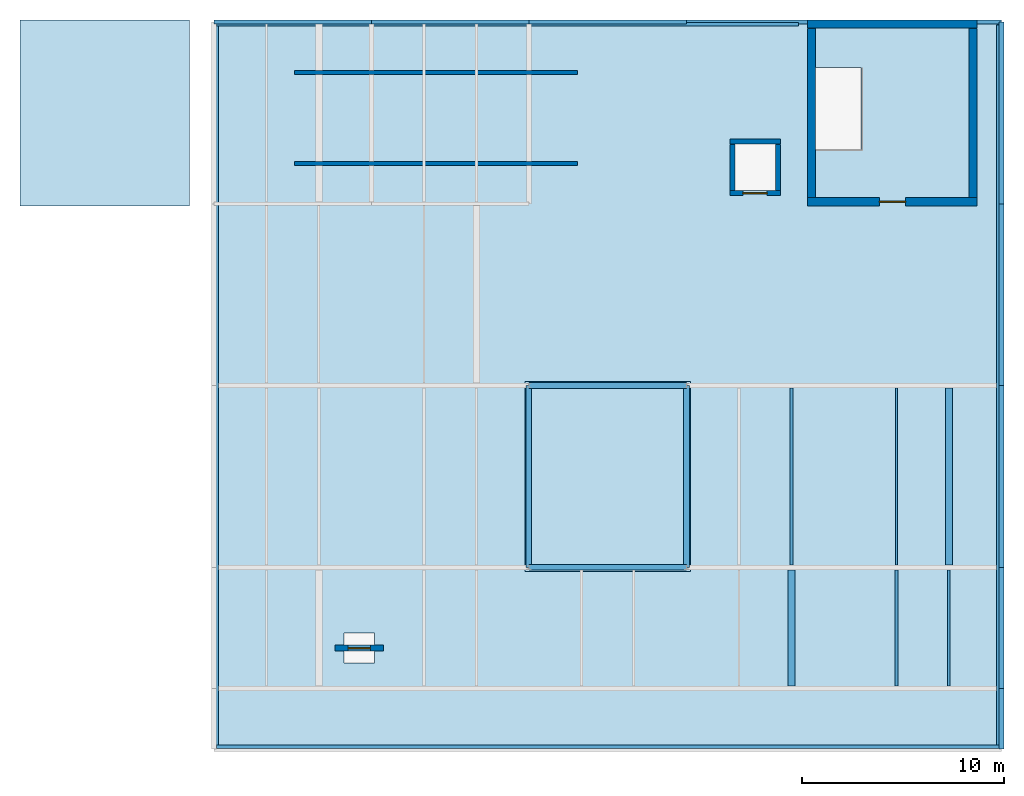
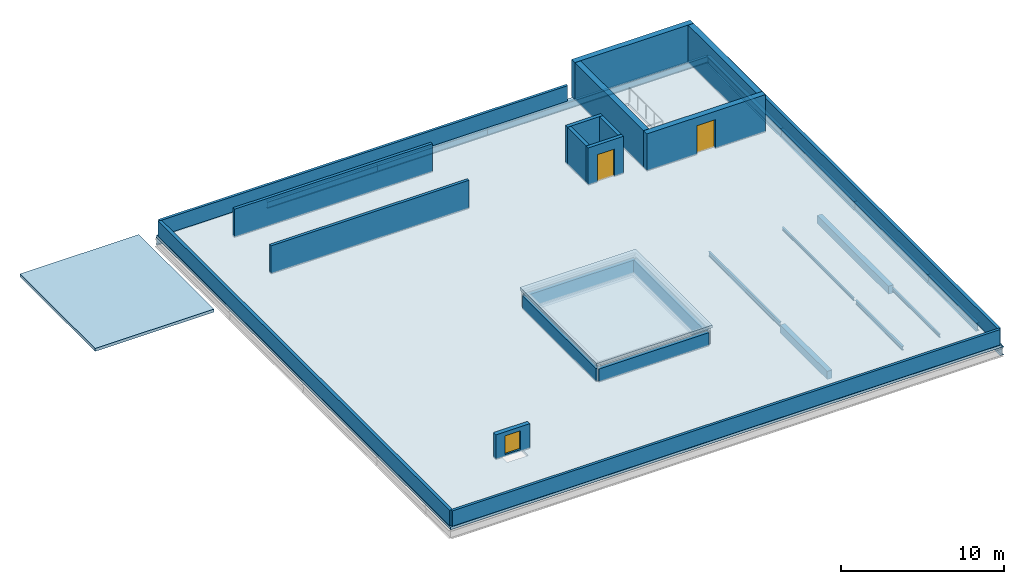
# One storey, part 8 of 9: 19 walls, 15 beams, 3 doors, 3 slabs, 3 openings.
"""IFC4 building model written with IfcOpenShell, lengths in metres."""

from ifc_helpers import new_model, si_unit, derived_unit, direction, frame, frame_2d, origin, origin_2d, place, context, subcontext, project, spatial, polyline, rectangle, i_section, outline, extrude, material, layer, layer_set, material_profile, profile_set, type_object, element, fill, save


model = new_model("IFC4")

# Units and contexts
model_context = context("Model", 3, precision=1e-05, world=origin(), true_north=direction((0.0, 1.0)))
body_context = subcontext(model_context, "Body", "Model", "MODEL_VIEW")
ifc_project = project(units=[si_unit("LENGTHUNIT", "METRE"), si_unit("AREAUNIT", "SQUARE_METRE"), si_unit("VOLUMEUNIT", "CUBIC_METRE"), si_unit("PLANEANGLEUNIT", "RADIAN"), si_unit("MASSUNIT", "GRAM", prefix="KILO"), derived_unit("THERMALTRANSMITTANCEUNIT", [(si_unit("POWERUNIT", "WATT"), 1), (si_unit("LENGTHUNIT", "METRE"), -2), (si_unit("THERMODYNAMICTEMPERATUREUNIT", "KELVIN"), -1)])], contexts=[model_context])

# Site, building, storey
site_placement = place(None, origin())
site = spatial("IfcSite", under=ifc_project, at=site_placement, CompositionType="ELEMENT")
building_placement = place(site_placement, origin())
building = spatial("IfcBuilding", under=site, at=building_placement, Name="Nallur Shell Playhouse", CompositionType="ELEMENT")
storey_placement = place(building_placement, frame((0.0, 0.0, 31.199951171875)))
storey = spatial("IfcBuildingStorey", under=building, at=storey_placement, Name="RF2", CompositionType="ELEMENT", Elevation=31.199951171875)

# Beams
ifc_material_1 = material(Name="Steel E250", Category="steel")
ifc_material_profile_1 = material_profile(ifc_material_1, i_section(OverallWidth=0.110107421875, OverallDepth=0.22509765625, WebThickness=0.006591796875, FlangeThickness=0.01171875, FilletRadius=0.011962890625, at=origin_2d()), Name="ISMB 225")
ifc_profile_set_1 = profile_set([ifc_material_profile_1], Name="Steel E250")
beam_type_1 = type_object("IfcBeamType", Name="BM-JST-ISMB225", PredefinedType="JOIST", material=ifc_profile_set_1)
beam_1_placement = place(storey_placement, frame((97.800048828125, 56.123046875, -0.33251953125), z_axis=(0.0, 1.0, 0.0), x_axis=(-1.0, 0.0, 0.0)))
element("IfcBeam", 1, at=beam_1_placement, inside=storey, type_object=beam_type_1, Name="RF2 secondary joist 12-G-1301", PredefinedType="JOIST", context=body_context, shape_type="SweptSolid", body=[
    extrude(i_section(OverallWidth=0.110107421875, OverallDepth=0.22509765625, WebThickness=0.006591796875, FlangeThickness=0.01171875, FilletRadius=0.011962890625, at=origin_2d()), origin(), (0.0, 0.0, 1.0), 8.75390625),
])
ifc_material_profile_2 = material_profile(ifc_material_1, i_section(OverallWidth=0.125, OverallDepth=0.25, WebThickness=0.0068359375, FlangeThickness=0.012451171875, FilletRadius=0.012939453125, at=origin_2d()), Name="ISMB 250")
ifc_profile_set_2 = profile_set([ifc_material_profile_2], Name="Steel E250")
beam_type_2 = type_object("IfcBeamType", Name="BM-JST-ISMB250", PredefinedType="JOIST", material=ifc_profile_set_2)
beam_2_placement = place(storey_placement, frame((100.39990234375, 50.123046875, -0.344970703125), z_axis=(0.0, 1.0, 0.0), x_axis=(-1.0, 0.0, 0.0)))
element("IfcBeam", 2, at=beam_2_placement, inside=storey, type_object=beam_type_2, Name="RF2 secondary joist 12-F-1300", PredefinedType="JOIST", context=body_context, shape_type="SweptSolid", body=[
    extrude(i_section(OverallWidth=0.125, OverallDepth=0.25, WebThickness=0.0068359375, FlangeThickness=0.012451171875, FilletRadius=0.012939453125, at=origin_2d()), origin(), (0.0, 0.0, 1.0), 5.75390625),
])
ifc_material_profile_3 = material_profile(ifc_material_1, i_section(OverallWidth=0.139892578125, OverallDepth=0.300048828125, WebThickness=0.0078125, FlangeThickness=0.01318359375, FilletRadius=0.013916015625, at=origin_2d()), Name="ISMB 300")
ifc_profile_set_3 = profile_set([ifc_material_profile_3], Name="Steel E250")
beam_type_3 = type_object("IfcBeamType", Name="BM-JST-ISMB300", PredefinedType="JOIST", material=ifc_profile_set_3)
beam_3_placement = place(storey_placement, frame((97.800048828125, 50.123046875, -0.369873046875), z_axis=(0.0, 1.0, 0.0), x_axis=(-1.0, 0.0, 0.0)))
element("IfcBeam", 3, at=beam_3_placement, inside=storey, type_object=beam_type_3, Name="RF2 secondary joist 12-F-1299", PredefinedType="JOIST", context=body_context, shape_type="SweptSolid", body=[
    extrude(i_section(OverallWidth=0.139892578125, OverallDepth=0.300048828125, WebThickness=0.0078125, FlangeThickness=0.01318359375, FilletRadius=0.013916015625, at=origin_2d()), origin(), (0.0, 0.0, 1.0), 5.75390625),
])
ifc_material_profile_4 = material_profile(ifc_material_1, i_section(OverallWidth=0.139892578125, OverallDepth=0.35009765625, WebThickness=0.008056640625, FlangeThickness=0.01416015625, FilletRadius=0.013916015625, at=origin_2d()), Name="ISMB 350")
ifc_profile_set_4 = profile_set([ifc_material_profile_4], Name="Steel E250")
beam_type_4 = type_object("IfcBeamType", Name="BM-JST-ISMB350", PredefinedType="JOIST", material=ifc_profile_set_4)
beam_4_placement = place(storey_placement, frame((92.60009765625, 56.123046875, -0.39501953125), z_axis=(0.0, 1.0, 0.0), x_axis=(-1.0, 0.0, 0.0)))
element("IfcBeam", 4, at=beam_4_placement, inside=storey, type_object=beam_type_4, Name="RF2 secondary joist 11-G-1298", PredefinedType="JOIST", context=body_context, shape_type="SweptSolid", body=[
    extrude(i_section(OverallWidth=0.139892578125, OverallDepth=0.35009765625, WebThickness=0.008056640625, FlangeThickness=0.01416015625, FilletRadius=0.013916015625, at=origin_2d()), origin(), (0.0, 0.0, 1.0), 8.75390625),
])
ifc_material_2 = material(Name="Concrete M30", Category="concrete")
ifc_material_profile_5 = material_profile(ifc_material_2, rectangle(XDim=0.35009765625, YDim=0.60009765625, at=origin_2d()), Name="RC 350x600")
ifc_profile_set_5 = profile_set([ifc_material_profile_5], Name="Concrete M30")
beam_type_5 = type_object("IfcBeamType", Name="BM-RC-350x600", PredefinedType="JOIST", material=ifc_profile_set_5)
beam_5_placement = place(storey_placement, frame((92.60009765625, 50.123046875, -0.52001953125), z_axis=(0.0, 1.0, 0.0), x_axis=(-1.0, 0.0, 0.0)))
element("IfcBeam", 5, at=beam_5_placement, inside=storey, type_object=beam_type_5, Name="RF2 secondary joist 11-F-1296", PredefinedType="JOIST", context=body_context, shape_type="SweptSolid", body=[
    extrude(rectangle(XDim=0.35009765625, YDim=0.60009765625, at=origin_2d()), origin(), (0.0, 0.0, 1.0), 5.75390625),
])
beam_6_placement = place(storey_placement, frame((100.39990234375, 56.123046875, -0.52001953125), z_axis=(0.0, 1.0, 0.0), x_axis=(-1.0, 0.0, 0.0)))
element("IfcBeam", 6, at=beam_6_placement, inside=storey, type_object=beam_type_5, Name="RF2 secondary joist 12-G-1302", PredefinedType="JOIST", context=body_context, shape_type="SweptSolid", body=[
    extrude(rectangle(XDim=0.35009765625, YDim=0.60009765625, at=origin_2d()), origin(), (0.0, 0.0, 1.0), 8.75390625),
])
ifc_material_3 = material(Name="Steel E350", Category="steel")
ifc_material_profile_6 = material_profile(ifc_material_3, i_section(OverallWidth=0.179931640625, OverallDepth=0.5, WebThickness=0.01025390625, FlangeThickness=0.01708984375, FilletRadius=0.01708984375, at=origin_2d()), Name="ISMB 500")
ifc_profile_set_6 = profile_set([ifc_material_profile_6], Name="Steel E350")
beam_type_6 = type_object("IfcBeamType", Name="BM-ST-ISMB500", PredefinedType="BEAM", material=ifc_profile_set_6)
for number, where, z_axis, x_axis, name in (
    (7, (64.0, 83.0, -0.469970703125), (1.0, 0.0, 0.0), (0.0, 1.0, 0.0), "RF2 girder X-K-1257"),
    (8, (71.800048828125, 83.0, -0.469970703125), (1.0, 0.0, 0.0), (0.0, 1.0, 0.0), "RF2 girder X-K-1258"),
):
    element("IfcBeam", number, at=place(storey_placement, frame(where, z_axis=z_axis, x_axis=x_axis)), inside=storey, type_object=beam_type_6, Name=name, PredefinedType="BEAM", context=body_context, shape_type="SweptSolid", body=[
        extrude(i_section(OverallWidth=0.179931640625, OverallDepth=0.5, WebThickness=0.01025390625, FlangeThickness=0.01708984375, FilletRadius=0.01708984375, at=origin_2d()), origin(), (0.0, 0.0, 1.0), 7.800048828125),
    ])
beam_7_placement = place(storey_placement, frame((79.60009765625, 83.0, -0.469970703125), z_axis=(1.0, 0.0, 0.0), x_axis=(0.0, 1.0, 0.0)))
element("IfcBeam", 9, at=beam_7_placement, inside=storey, type_object=beam_type_6, Name="RF2 girder X-K-1259", PredefinedType="BEAM", context=body_context, shape_type="SweptSolid", body=[
    extrude(i_section(OverallWidth=0.179931640625, OverallDepth=0.5, WebThickness=0.01025390625, FlangeThickness=0.01708984375, FilletRadius=0.01708984375, at=origin_2d()), origin(), (0.0, 0.0, 1.0), 7.7998046875),
])
beam_8_placement = place(storey_placement, frame((87.39990234375, 83.0, -0.469970703125), z_axis=(1.0, 0.0, 0.0), x_axis=(0.0, 1.0, 0.0)))
element("IfcBeam", 10, at=beam_8_placement, inside=storey, type_object=beam_type_6, Name="RF2 girder X-K-1260", PredefinedType="BEAM", context=body_context, shape_type="SweptSolid", body=[
    extrude(i_section(OverallWidth=0.179931640625, OverallDepth=0.5, WebThickness=0.01025390625, FlangeThickness=0.01708984375, FilletRadius=0.01708984375, at=origin_2d()), origin(), (0.0, 0.0, 1.0), 15.60009765625),
])
ifc_material_profile_7 = material_profile(ifc_material_3, i_section(OverallWidth=0.25, OverallDepth=0.60009765625, WebThickness=0.01171875, FlangeThickness=0.023681640625, FilletRadius=0.01708984375, at=origin_2d()), Name="ISWB 600")
ifc_profile_set_7 = profile_set([ifc_material_profile_7], Name="Steel E350")
beam_type_7 = type_object("IfcBeamType", Name="BM-ST-ISWB600", PredefinedType="BEAM", material=ifc_profile_set_7)
beam_9_placement = place(storey_placement, frame((103.0, 47.0, -0.52001953125), z_axis=(0.0, 1.0, 0.0), x_axis=(-1.0, 0.0, 0.0)))
element("IfcBeam", 11, at=beam_9_placement, inside=storey, type_object=beam_type_7, Name="RF2 girder Y-13-1268", PredefinedType="BEAM", context=body_context, shape_type="SweptSolid", body=[
    extrude(i_section(OverallWidth=0.25, OverallDepth=0.60009765625, WebThickness=0.01171875, FlangeThickness=0.023681640625, FilletRadius=0.01708984375, at=origin_2d()), origin(), (0.0, 0.0, 1.0), 3.0),
])
beam_10_placement = place(storey_placement, frame((103.0, 50.0, -0.52001953125), z_axis=(0.0, 1.0, 0.0), x_axis=(-1.0, 0.0, 0.0)))
element("IfcBeam", 12, at=beam_10_placement, inside=storey, type_object=beam_type_7, Name="RF2 girder Y-13-1269", PredefinedType="BEAM", context=body_context, shape_type="SweptSolid", body=[
    extrude(i_section(OverallWidth=0.25, OverallDepth=0.60009765625, WebThickness=0.01171875, FlangeThickness=0.023681640625, FilletRadius=0.01708984375, at=origin_2d()), origin(), (0.0, 0.0, 1.0), 6.0),
])
for number, where, z_axis, x_axis, name in (
    (13, (103.0, 56.0, -0.52001953125), (0.0, 1.0, 0.0), (-1.0, 0.0, 0.0), "RF2 girder Y-13-1270"),
    (14, (103.0, 65.0, -0.52001953125), (0.0, 1.0, 0.0), (-1.0, 0.0, 0.0), "RF2 girder Y-13-1271"),
    (15, (103.0, 74.0, -0.52001953125), (0.0, 1.0, 0.0), (-1.0, 0.0, 0.0), "RF2 girder Y-13-1272"),
):
    element("IfcBeam", number, at=place(storey_placement, frame(where, z_axis=z_axis, x_axis=x_axis)), inside=storey, type_object=beam_type_7, Name=name, PredefinedType="BEAM", context=body_context, shape_type="SweptSolid", body=[
        extrude(i_section(OverallWidth=0.25, OverallDepth=0.60009765625, WebThickness=0.01171875, FlangeThickness=0.023681640625, FilletRadius=0.01708984375, at=origin_2d()), origin(), (0.0, 0.0, 1.0), 9.0),
    ])

# Slabs
ifc_material_4 = material(Name="Concrete M35", Category="concrete")
ifc_layer_1 = layer(ifc_material_4, 0.219970703125)
ifc_layer_set_1 = layer_set([ifc_layer_1], Name="Concrete M35")
slab_type_1 = type_object("IfcSlabType", Name="SL-FLATROOF-220", PredefinedType="ROOF", material=ifc_layer_set_1)
slab_1_placement = place(storey_placement, frame((0.0, 0.0, 0.179931640625)))
element("IfcSlab", 16, at=slab_1_placement, inside=storey, type_object=slab_type_1, Name="RF2 JC-3 stair headhouse concrete roof slab", PredefinedType="ROOF", context=body_context, shape_type="SweptSolid", body=[
    extrude(outline(polyline([(54.39990234375, 73.89990234375), (62.800048828125, 73.89990234375), (62.800048828125, 83.10009765625), (54.39990234375, 83.10009765625), (54.39990234375, 73.89990234375)])), origin(), (0.0, 0.0, 1.0), 0.22021484375),
])
ifc_layer_2 = layer(ifc_material_4, 0.199951171875)
ifc_layer_set_2 = layer_set([ifc_layer_2], Name="Concrete M35")
slab_type_2 = type_object("IfcSlabType", Name="SL-FLYROOF-200", PredefinedType="ROOF", material=ifc_layer_set_2)
slab_2_placement = place(storey_placement, frame((0.0, 0.0, -0.199951171875)))
element("IfcSlab", 17, at=slab_2_placement, inside=storey, type_object=slab_type_2, Name="RF2 Stage Fly Tower structural roof slab", PredefinedType="ROOF", context=body_context, shape_type="SweptSolid", body=[
    extrude(outline(polyline([(64.0, 47.0), (64.0, 83.0), (103.0, 83.0), (103.0, 47.0), (64.0, 47.0)]), holes=[polyline([(70.449951171875, 51.25), (71.949951171875, 51.25), (71.949951171875, 52.75), (70.449951171875, 52.75), (70.449951171875, 51.25)]), polyline([(79.85009765625, 56.25), (87.14990234375, 56.25), (87.14990234375, 64.75), (79.85009765625, 64.75), (79.85009765625, 56.25)]), polyline([(89.800048828125, 74.64990234375), (91.800048828125, 74.64990234375), (91.800048828125, 76.949951171875), (89.800048828125, 76.949951171875), (89.800048828125, 74.64990234375)]), polyline([(93.800048828125, 76.699951171875), (96.050048828125, 76.699951171875), (96.050048828125, 80.75), (93.800048828125, 80.75), (93.800048828125, 76.699951171875)])]), origin(), (0.0, 0.0, 1.0), 0.199951171875),
])
slab_3_placement = place(storey_placement, frame((0.0, 0.0, 1.300048828125)))
element("IfcSlab", 18, at=slab_3_placement, inside=storey, type_object=slab_type_2, Name="RF2 Stage automatic smoke ventilator lantern roof", PredefinedType="ROOF", context=body_context, shape_type="SweptSolid", body=[
    extrude(outline(polyline([(79.39990234375, 55.800048828125), (87.60009765625, 55.800048828125), (87.60009765625, 65.199951171875), (79.39990234375, 65.199951171875), (79.39990234375, 55.800048828125)])), origin(), (0.0, 0.0, 1.0), 0.199951171875),
])

# Wall, opening, door
ifc_material_5 = material(Name="Concrete M45", Category="concrete")
ifc_layer_3 = layer(ifc_material_5, 0.39990234375)
ifc_layer_set_3 = layer_set([ifc_layer_3], Name="Concrete M45")
wall_type_1 = type_object("IfcWallType", Name="WL-CORE-400", PredefinedType="SHEAR", material=ifc_layer_set_3)
wall_1_placement = place(storey_placement, frame((93.39990234375, 74.10009765625, 0.0), z_axis=(0.0, 0.0, 1.0), x_axis=(1.0, 0.0, 0.0)))
wall_1 = element("IfcWall", 19, at=wall_1_placement, inside=storey, type_object=wall_type_1, Name="Joint Core JC-4 shear wall S (RF2)", PredefinedType="SHEAR", context=body_context, shape_type="SweptSolid", body=[
    extrude(rectangle(XDim=8.400146484375, YDim=0.39990234375, at=frame_2d((4.2001953125, 0.0))), origin(), (0.0, 0.0, 1.0), 2.780029296875),
])
opening_1_placement = place(wall_1_placement, frame((3.550048828125, 0.0, 0.0)))
opening_1 = element("IfcOpeningElement", 20, at=opening_1_placement, cuts=wall_1, Name="Opening FD-ST1", PredefinedType="OPENING", context=body_context, shape_type="SweptSolid", body=[
    extrude(rectangle(XDim=1.300048828125, YDim=2.14990234375, at=frame_2d((0.64990234375, 1.074951171875))), frame((0.0, 0.2099609375, 0.0), z_axis=(0.0, -1.0, 0.0), x_axis=(1.0, 0.0, 0.0)), (0.0, 0.0, 1.0), 0.419921875),
])
ifc_material_6 = material(Name="Galvanised Steel Fire-Rated Stair Door", Category="steel")
door_type_1 = type_object("IfcDoorType", Name="DR-INT-STAIR-L", OperationType="SINGLE_SWING_LEFT", PredefinedType="DOOR", material=ifc_material_6)
door_1_placement = place(opening_1_placement, origin())
door_1 = element("IfcDoor", 21, at=door_1_placement, inside=storey, type_object=door_type_1, Name="Exit stair ST-04 fire door (RF2)", OperationType="SINGLE_SWING_LEFT", OverallHeight=2.14990234375, OverallWidth=1.300048828125, PredefinedType="DOOR", context=body_context, shape_type="SweptSolid", body=[
    extrude(rectangle(XDim=1.300048828125, YDim=2.14990234375, at=frame_2d((0.64990234375, 1.074951171875))), frame((0.0, 0.02490234375, 0.0), z_axis=(0.0, -1.0, 0.0), x_axis=(1.0, 0.0, 0.0)), (0.0, 0.0, 1.0), 0.050048828125),
])
fill(opening_1, door_1)

# Walls
wall_2_placement = place(storey_placement, frame((101.800048828125, 82.89990234375, 0.0), z_axis=(0.0, 0.0, 1.0), x_axis=(-1.0, 0.0, 0.0)))
element("IfcWall", 22, at=wall_2_placement, inside=storey, type_object=wall_type_1, Name="Joint Core JC-4 shear wall N (RF2)", PredefinedType="SHEAR", context=body_context, shape_type="SweptSolid", body=[
    extrude(rectangle(XDim=8.400146484375, YDim=0.39990234375, at=frame_2d((4.2001953125, 0.0))), origin(), (0.0, 0.0, 1.0), 2.780029296875),
])
for number, where, z_axis, x_axis, name in (
    (23, (101.60009765625, 74.31005859375, 0.0), (0.0, 0.0, 1.0), (0.0, 1.0, 0.0), "Joint Core JC-4 shear wall E (RF2)"),
    (24, (93.60009765625, 82.68994140625, 0.0), (0.0, 0.0, 1.0), (0.0, -1.0, 0.0), "Joint Core JC-4 shear wall W (RF2)"),
):
    element("IfcWall", number, at=place(storey_placement, frame(where, z_axis=z_axis, x_axis=x_axis)), inside=storey, type_object=wall_type_1, Name=name, PredefinedType="SHEAR", context=body_context, shape_type="SweptSolid", body=[
        extrude(rectangle(XDim=8.3798828125, YDim=0.39990234375, at=frame_2d((4.18994140625, 0.0))), origin(), (0.0, 0.0, 1.0), 2.780029296875),
    ])
ifc_layer_4 = layer(ifc_material_2, 0.280029296875)
ifc_layer_set_4 = layer_set([ifc_layer_4], Name="Concrete M30")
wall_type_2 = type_object("IfcWallType", Name="WL-EXT-INS280", PredefinedType="STANDARD", material=ifc_layer_set_4)
for number, where, z_axis, x_axis, name in (
    (25, (79.60009765625, 56.0, 0.0), (0.0, 0.0, 1.0), (1.0, 0.0, 0.0), "Stage smoke lantern louvred wall EW-RF2-LANTERN-S"),
    (26, (87.39990234375, 65.0, 0.0), (0.0, 0.0, 1.0), (-1.0, 0.0, 0.0), "Stage smoke lantern louvred wall EW-RF2-LANTERN-N"),
):
    element("IfcWall", number, at=place(storey_placement, frame(where, z_axis=z_axis, x_axis=x_axis)), inside=storey, type_object=wall_type_2, Name=name, PredefinedType="STANDARD", context=body_context, shape_type="SweptSolid", body=[
        extrude(rectangle(XDim=7.7998046875, YDim=0.280029296875, at=frame_2d((3.89990234375, 0.0))), origin(), (0.0, 0.0, 1.0), 0.97998046875),
    ])
for number, where, z_axis, x_axis, name in (
    (27, (87.39990234375, 56.0, 0.0), (0.0, 0.0, 1.0), (0.0, 1.0, 0.0), "Stage smoke lantern louvred wall EW-RF2-LANTERN-E"),
    (28, (79.60009765625, 65.0, 0.0), (0.0, 0.0, 1.0), (0.0, -1.0, 0.0), "Stage smoke lantern louvred wall EW-RF2-LANTERN-W"),
):
    element("IfcWall", number, at=place(storey_placement, frame(where, z_axis=z_axis, x_axis=x_axis)), inside=storey, type_object=wall_type_2, Name=name, PredefinedType="STANDARD", context=body_context, shape_type="SweptSolid", body=[
        extrude(rectangle(XDim=9.0, YDim=0.280029296875, at=frame_2d((4.5, 0.0))), origin(), (0.0, 0.0, 1.0), 0.97998046875),
    ])

# Wall, opening, door
ifc_layer_5 = layer(ifc_material_4, 0.300048828125)
ifc_layer_set_5 = layer_set([ifc_layer_5], Name="Concrete M35")
wall_type_3 = type_object("IfcWallType", Name="WL-EXT-RC300", PredefinedType="STANDARD", material=ifc_layer_set_5)
wall_3_placement = place(storey_placement, frame((70.0, 52.0, 0.0), z_axis=(0.0, 0.0, 1.0), x_axis=(1.0, 0.0, 0.0)))
wall_3 = element("IfcWall", 29, at=wall_3_placement, inside=storey, type_object=wall_type_3, Name="RF2 roof access hatch bulkhead wall 06", PredefinedType="STANDARD", context=body_context, shape_type="SweptSolid", body=[
    extrude(rectangle(XDim=2.39990234375, YDim=0.300048828125, at=frame_2d((1.199951171875, 0.0))), origin(), (0.0, 0.0, 1.0), 1.85009765625),
])
opening_2_placement = place(wall_3_placement, frame((0.64990234375, 0.0, 0.14990234375)))
opening_2 = element("IfcOpeningElement", 30, at=opening_2_placement, cuts=wall_3, Name="Opening RH-01", PredefinedType="OPENING", context=body_context, shape_type="SweptSolid", body=[
    extrude(rectangle(XDim=1.10009765625, YDim=1.39990234375, at=frame_2d((0.550048828125, 0.699951171875))), frame((0.0, 0.16015625, 0.0), z_axis=(0.0, -1.0, 0.0), x_axis=(1.0, 0.0, 0.0)), (0.0, 0.0, 1.0), 0.320068359375),
])
ifc_material_7 = material(Name="Insulated Weatherproof Roof Access Hatch Door")
door_type_2 = type_object("IfcDoorType", Name="DR-ROOF-HATCH", OperationType="SINGLE_SWING_LEFT", PredefinedType="TRAPDOOR", material=ifc_material_7)
door_2_placement = place(opening_2_placement, origin())
door_2 = element("IfcDoor", 31, at=door_2_placement, inside=storey, type_object=door_type_2, Name="Roof access trapdoor hatch RH-06", OperationType="SINGLE_SWING_LEFT", OverallHeight=1.39990234375, OverallWidth=1.10009765625, PredefinedType="TRAPDOOR", context=body_context, shape_type="SweptSolid", body=[
    extrude(rectangle(XDim=1.10009765625, YDim=1.39990234375, at=frame_2d((0.550048828125, 0.699951171875))), frame((0.0, 0.02490234375, 0.0), z_axis=(0.0, -1.0, 0.0), x_axis=(1.0, 0.0, 0.0)), (0.0, 0.0, 1.0), 0.050048828125),
])
fill(opening_2, door_2)

# Walls
ifc_layer_6 = layer(ifc_material_4, 0.179931640625)
ifc_layer_set_6 = layer_set([ifc_layer_6], Name="Concrete M35")
wall_type_4 = type_object("IfcWallType", Name="WL-PARAPET-180", PredefinedType="PARAPET", material=ifc_layer_set_6)
wall_4_placement = place(storey_placement, frame((64.1298828125, 82.889892578125, 0.0), z_axis=(0.0, 0.0, 1.0), x_axis=(1.0, 0.0, 0.0)))
element("IfcWall", 32, at=wall_4_placement, inside=storey, type_object=wall_type_4, Name="RF2 concrete roof parapet PAR-050", PredefinedType="PARAPET", context=body_context, shape_type="SweptSolid", body=[
    extrude(rectangle(XDim=28.820068359375, YDim=0.179931640625, at=frame_2d((14.41015625, 0.0))), origin(), (0.0, 0.0, 1.0), 1.150146484375),
])
wall_5_placement = place(storey_placement, frame((102.8701171875, 47.110107421875, 0.0), z_axis=(0.0, 0.0, 1.0), x_axis=(-1.0, 0.0, 0.0)))
element("IfcWall", 33, at=wall_5_placement, inside=storey, type_object=wall_type_4, Name="RF2 concrete roof parapet PAR-052", PredefinedType="PARAPET", context=body_context, shape_type="SweptSolid", body=[
    extrude(rectangle(XDim=38.740234375, YDim=0.179931640625, at=frame_2d((19.3701171875, 0.0))), origin(), (0.0, 0.0, 1.0), 1.150146484375),
])
ifc_layer_7 = layer(ifc_material_4, 0.219970703125)
ifc_layer_set_7 = layer_set([ifc_layer_7], Name="Concrete M35")
wall_type_5 = type_object("IfcWallType", Name="WL-PARAPET-220", PredefinedType="PARAPET", material=ifc_layer_set_7)
for number, where, z_axis, x_axis, name in (
    (34, (64.1298828125, 47.14990234375, 0.0), (0.0, 0.0, 1.0), (0.0, 1.0, 0.0), "RF2 concrete roof parapet PAR-049"),
    (35, (102.8701171875, 82.85009765625, 0.0), (0.0, 0.0, 1.0), (0.0, -1.0, 0.0), "RF2 concrete roof parapet PAR-051"),
):
    element("IfcWall", number, at=place(storey_placement, frame(where, z_axis=z_axis, x_axis=x_axis)), inside=storey, type_object=wall_type_5, Name=name, PredefinedType="PARAPET", context=body_context, shape_type="SweptSolid", body=[
        extrude(rectangle(XDim=35.7001953125, YDim=0.219970703125, at=frame_2d((17.85009765625, 0.0))), origin(), (0.0, 0.0, 1.0), 1.150146484375),
    ])
ifc_material_8 = material(Name="Precast concrete M40", Category="concrete")
ifc_layer_8 = layer(ifc_material_8, 0.199951171875)
ifc_layer_set_8 = layer_set([ifc_layer_8], Name="Precast concrete M40")
wall_type_6 = type_object("IfcWallType", Name="WL-SCREEN-200", PredefinedType="USERDEFINED", material=ifc_layer_set_8)
for number, where, z_axis, x_axis, name in (
    (36, (68.0, 76.0, 0.0), (0.0, 0.0, 1.0), (1.0, 0.0, 0.0), "Acoustic roof plant louvred screen wall 05"),
    (37, (68.0, 80.5, 0.0), (0.0, 0.0, 1.0), (1.0, 0.0, 0.0), "Acoustic roof plant louvred screen wall 06"),
):
    element("IfcWall", number, at=place(storey_placement, frame(where, z_axis=z_axis, x_axis=x_axis)), inside=storey, type_object=wall_type_6, Name=name, ObjectType="PLANT SCREEN WALL", PredefinedType="USERDEFINED", context=body_context, shape_type="SweptSolid", body=[
        extrude(rectangle(XDim=14.0, YDim=0.199951171875, at=frame_2d((7.0, 0.0))), origin(), (0.0, 0.0, 1.0), 2.10009765625),
    ])

# Wall, opening, door
ifc_layer_9 = layer(ifc_material_5, 0.25)
ifc_layer_set_9 = layer_set([ifc_layer_9], Name="Concrete M45")
wall_type_7 = type_object("IfcWallType", Name="WL-SHAFT-250", PredefinedType="STANDARD", material=ifc_layer_set_9)
wall_6_placement = place(storey_placement, frame((89.550048828125, 74.52490234375, 0.0), z_axis=(0.0, 0.0, 1.0), x_axis=(1.0, 0.0, 0.0)))
wall_6 = element("IfcWall", 38, at=wall_6_placement, inside=storey, type_object=wall_type_7, Name="Fireman's Lift FL-2 shaft wall south (RF2)", PredefinedType="STANDARD", context=body_context, shape_type="SweptSolid", body=[
    extrude(rectangle(XDim=2.5, YDim=0.25, at=frame_2d((1.25, 0.0))), origin(), (0.0, 0.0, 1.0), 2.780029296875),
])
opening_3_placement = place(wall_6_placement, frame((0.64990234375, 0.0, 0.0)))
opening_3 = element("IfcOpeningElement", 39, at=opening_3_placement, cuts=wall_6, Name="Opening LD-F1", PredefinedType="OPENING", context=body_context, shape_type="SweptSolid", body=[
    extrude(rectangle(XDim=1.199951171875, YDim=2.050048828125, at=frame_2d((0.60009765625, 1.02490234375))), frame((0.0, 0.135009765625, 0.0), z_axis=(0.0, -1.0, 0.0), x_axis=(1.0, 0.0, 0.0)), (0.0, 0.0, 1.0), 0.27001953125),
])
ifc_material_9 = material(Name="Fireman Lift Fire-Rated Sliding Landing Door")
door_type_3 = type_object("IfcDoorType", Name="DR-LIFT-FIRE", OperationType="DOUBLE_DOOR_SLIDING", PredefinedType="DOOR", material=ifc_material_9)
door_3_placement = place(opening_3_placement, origin())
door_3 = element("IfcDoor", 40, at=door_3_placement, inside=storey, type_object=door_type_3, Name="Fireman's Lift FL-2 sliding landing door (RF2)", OperationType="DOUBLE_DOOR_SLIDING", OverallHeight=2.050048828125, OverallWidth=1.199951171875, PredefinedType="DOOR", context=body_context, shape_type="SweptSolid", body=[
    extrude(rectangle(XDim=1.199951171875, YDim=2.050048828125, at=frame_2d((0.60009765625, 1.02490234375))), frame((0.0, 0.02490234375, 0.0), z_axis=(0.0, -1.0, 0.0), x_axis=(1.0, 0.0, 0.0)), (0.0, 0.0, 1.0), 0.050048828125),
])
fill(opening_3, door_3)

# Walls
wall_7_placement = place(storey_placement, frame((92.050048828125, 77.074951171875, 0.0), z_axis=(0.0, 0.0, 1.0), x_axis=(-1.0, 0.0, 0.0)))
element("IfcWall", 41, at=wall_7_placement, inside=storey, type_object=wall_type_7, Name="Fireman's Lift FL-2 shaft wall north (RF2)", PredefinedType="STANDARD", context=body_context, shape_type="SweptSolid", body=[
    extrude(rectangle(XDim=2.5, YDim=0.25, at=frame_2d((1.25, 0.0))), origin(), (0.0, 0.0, 1.0), 2.780029296875),
])
for number, where, z_axis, x_axis, name in (
    (42, (91.925048828125, 74.659912109375, 0.0), (0.0, 0.0, 1.0), (0.0, 1.0, 0.0), "Fireman's Lift FL-2 shaft wall east (RF2)"),
    (43, (89.675048828125, 76.93994140625, 0.0), (0.0, 0.0, 1.0), (0.0, -1.0, 0.0), "Fireman's Lift FL-2 shaft wall west (RF2)"),
):
    element("IfcWall", number, at=place(storey_placement, frame(where, z_axis=z_axis, x_axis=x_axis)), inside=storey, type_object=wall_type_7, Name=name, PredefinedType="STANDARD", context=body_context, shape_type="SweptSolid", body=[
        extrude(rectangle(XDim=2.280029296875, YDim=0.25, at=frame_2d((1.14013671875, 0.0))), origin(), (0.0, 0.0, 1.0), 2.780029296875),
    ])

save(model, "model.ifc")
